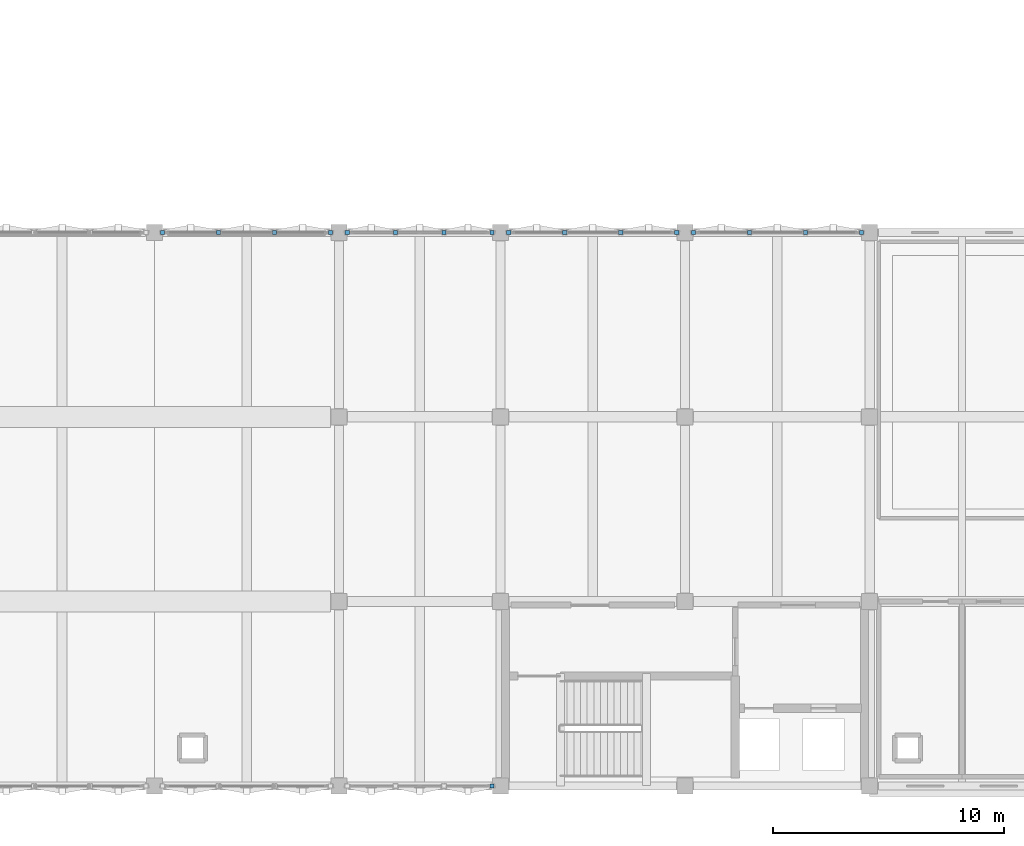
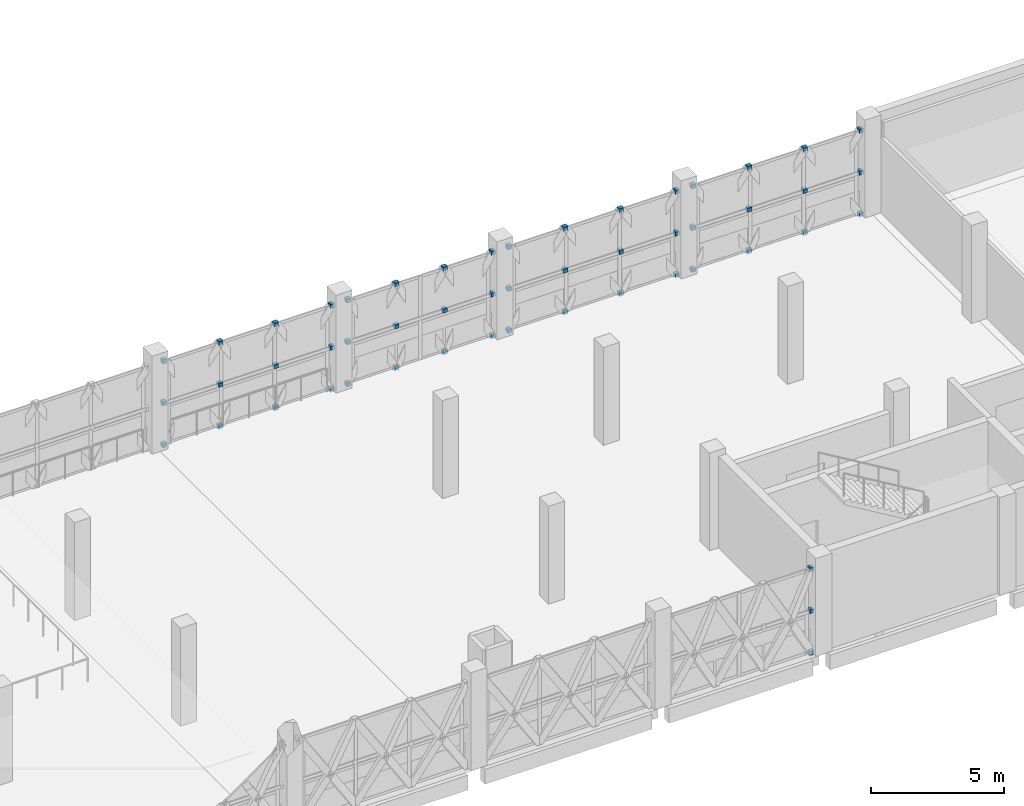
# One storey, part 35 of 45: 51 discrete accessories.
"""IFC4 building model written with IfcOpenShell, lengths in metres."""

from ifc_helpers import new_model, si_unit, direction, frame, origin, origin_2d, place, context, subcontext, project, spatial, rectangle, extrude, material, type_object, element, save


model = new_model("IFC4")

# Units and contexts
model_context = context("Model", 3, precision=1e-05, world=origin(), true_north=direction((0.0, 1.0)))
body_context = subcontext(model_context, "Body", "Model", "MODEL_VIEW")
ifc_project = project(units=[si_unit("LENGTHUNIT", "METRE"), si_unit("AREAUNIT", "SQUARE_METRE"), si_unit("VOLUMEUNIT", "CUBIC_METRE"), si_unit("PLANEANGLEUNIT", "RADIAN"), si_unit("MASSUNIT", "GRAM", prefix="KILO")], contexts=[model_context])

# Site, building, storey
site_placement = place(None, origin())
site = spatial("IfcSite", under=ifc_project, at=site_placement, CompositionType="ELEMENT")
building_placement = place(site_placement, origin())
building = spatial("IfcBuilding", under=site, at=building_placement, Name="Qorikala Patio Media Centre", CompositionType="ELEMENT")
storey_placement = place(building_placement, frame((0.0, 0.0, 9.89990234375)))
storey = spatial("IfcBuildingStorey", under=building, at=storey_placement, Name="L02", CompositionType="ELEMENT", Elevation=9.89990234375)

# Discrete accessories
ifc_material = material(Name="Steel S355", Category="steel")
discrete_accessory_type = type_object("IfcDiscreteAccessoryType", Name="ACC-BRACKET", PredefinedType="BRACKET", material=ifc_material)
for number, where, z_axis, x_axis, name in (
    (1, (81.639892578125, 3.0, -0.08984375), (0.0, 0.0, 1.0), (1.0, 0.0, 0.0), "L02 Brace End Bolted Connection Bracket 0355"),
    (2, (81.639892578125, 3.0, 3.76025390625), (0.0, 0.0, 1.0), (1.0, 0.0, 0.0), "L02 Brace End Bolted Connection Bracket 0357"),
    (3, (81.639892578125, 3.0, 1.8349609375), (0.0, 0.0, 1.0), (1.0, 0.0, 0.0), "L02 Brace End Bolted Connection Bracket 0359"),
    (4, (67.360107421875, 27.0, -0.08984375), (0.0, 0.0, 1.0), (1.0, 0.0, 0.0), "L02 Brace End Bolted Connection Bracket 0439"),
    (5, (69.78662109375, 27.0, -0.08984375), (0.0, 0.0, 1.0), (1.0, 0.0, 0.0), "L02 Brace End Bolted Connection Bracket 0440"),
    (6, (67.360107421875, 27.0, 3.76025390625), (0.0, 0.0, 1.0), (1.0, 0.0, 0.0), "L02 Brace End Bolted Connection Bracket 0441"),
    (7, (69.78662109375, 27.0, 3.76025390625), (0.0, 0.0, 1.0), (1.0, 0.0, 0.0), "L02 Brace End Bolted Connection Bracket 0442"),
    (8, (67.360107421875, 27.0, 1.8349609375), (0.0, 0.0, 1.0), (1.0, 0.0, 0.0), "L02 Brace End Bolted Connection Bracket 0443"),
    (9, (69.78662109375, 27.0, 1.8349609375), (0.0, 0.0, 1.0), (1.0, 0.0, 0.0), "L02 Brace End Bolted Connection Bracket 0444"),
    (10, (72.21337890625, 27.0, -0.08984375), (0.0, 0.0, 1.0), (1.0, 0.0, 0.0), "L02 Brace End Bolted Connection Bracket 0445"),
    (11, (72.21337890625, 27.0, 3.76025390625), (0.0, 0.0, 1.0), (1.0, 0.0, 0.0), "L02 Brace End Bolted Connection Bracket 0446"),
    (12, (72.21337890625, 27.0, 1.8349609375), (0.0, 0.0, 1.0), (1.0, 0.0, 0.0), "L02 Brace End Bolted Connection Bracket 0447"),
    (13, (74.639892578125, 27.0, -0.08984375), (0.0, 0.0, 1.0), (1.0, 0.0, 0.0), "L02 Brace End Bolted Connection Bracket 0448"),
    (14, (74.639892578125, 27.0, 3.76025390625), (0.0, 0.0, 1.0), (1.0, 0.0, 0.0), "L02 Brace End Bolted Connection Bracket 0449"),
    (15, (74.639892578125, 27.0, 1.8349609375), (0.0, 0.0, 1.0), (1.0, 0.0, 0.0), "L02 Brace End Bolted Connection Bracket 0450"),
    (16, (75.360107421875, 27.0, -0.08984375), (0.0, 0.0, 1.0), (1.0, 0.0, 0.0), "L02 Brace End Bolted Connection Bracket 0451"),
    (17, (77.453369140625, 27.0, -0.08984375), (0.0, 0.0, 1.0), (1.0, 0.0, 0.0), "L02 Brace End Bolted Connection Bracket 0452"),
    (18, (75.360107421875, 27.0, 3.76025390625), (0.0, 0.0, 1.0), (1.0, 0.0, 0.0), "L02 Brace End Bolted Connection Bracket 0453"),
    (19, (77.453369140625, 27.0, 3.76025390625), (0.0, 0.0, 1.0), (1.0, 0.0, 0.0), "L02 Brace End Bolted Connection Bracket 0454"),
    (20, (75.360107421875, 27.0, 1.8349609375), (0.0, 0.0, 1.0), (1.0, 0.0, 0.0), "L02 Brace End Bolted Connection Bracket 0455"),
    (21, (77.453369140625, 27.0, 1.8349609375), (0.0, 0.0, 1.0), (1.0, 0.0, 0.0), "L02 Brace End Bolted Connection Bracket 0456"),
    (22, (79.546630859375, 27.0, -0.08984375), (0.0, 0.0, 1.0), (1.0, 0.0, 0.0), "L02 Brace End Bolted Connection Bracket 0457"),
    (23, (79.546630859375, 27.0, 3.76025390625), (0.0, 0.0, 1.0), (1.0, 0.0, 0.0), "L02 Brace End Bolted Connection Bracket 0458"),
    (24, (79.546630859375, 27.0, 1.8349609375), (0.0, 0.0, 1.0), (1.0, 0.0, 0.0), "L02 Brace End Bolted Connection Bracket 0459"),
    (25, (81.639892578125, 27.0, -0.08984375), (0.0, 0.0, 1.0), (1.0, 0.0, 0.0), "L02 Brace End Bolted Connection Bracket 0460"),
    (26, (81.639892578125, 27.0, 3.76025390625), (0.0, 0.0, 1.0), (1.0, 0.0, 0.0), "L02 Brace End Bolted Connection Bracket 0461"),
    (27, (81.639892578125, 27.0, 1.8349609375), (0.0, 0.0, 1.0), (1.0, 0.0, 0.0), "L02 Brace End Bolted Connection Bracket 0462"),
    (28, (82.360107421875, 27.0, -0.08984375), (0.0, 0.0, 1.0), (1.0, 0.0, 0.0), "L02 Brace End Bolted Connection Bracket 0463"),
    (29, (84.78662109375, 27.0, -0.08984375), (0.0, 0.0, 1.0), (1.0, 0.0, 0.0), "L02 Brace End Bolted Connection Bracket 0464"),
    (30, (82.360107421875, 27.0, 3.76025390625), (0.0, 0.0, 1.0), (1.0, 0.0, 0.0), "L02 Brace End Bolted Connection Bracket 0465"),
    (31, (84.78662109375, 27.0, 3.76025390625), (0.0, 0.0, 1.0), (1.0, 0.0, 0.0), "L02 Brace End Bolted Connection Bracket 0466"),
    (32, (82.360107421875, 27.0, 1.8349609375), (0.0, 0.0, 1.0), (1.0, 0.0, 0.0), "L02 Brace End Bolted Connection Bracket 0467"),
    (33, (84.78662109375, 27.0, 1.8349609375), (0.0, 0.0, 1.0), (1.0, 0.0, 0.0), "L02 Brace End Bolted Connection Bracket 0468"),
    (34, (87.21337890625, 27.0, -0.08984375), (0.0, 0.0, 1.0), (1.0, 0.0, 0.0), "L02 Brace End Bolted Connection Bracket 0469"),
    (35, (87.21337890625, 27.0, 3.76025390625), (0.0, 0.0, 1.0), (1.0, 0.0, 0.0), "L02 Brace End Bolted Connection Bracket 0470"),
    (36, (87.21337890625, 27.0, 1.8349609375), (0.0, 0.0, 1.0), (1.0, 0.0, 0.0), "L02 Brace End Bolted Connection Bracket 0471"),
    (37, (89.639892578125, 27.0, -0.08984375), (0.0, 0.0, 1.0), (1.0, 0.0, 0.0), "L02 Brace End Bolted Connection Bracket 0472"),
    (38, (89.639892578125, 27.0, 3.76025390625), (0.0, 0.0, 1.0), (1.0, 0.0, 0.0), "L02 Brace End Bolted Connection Bracket 0473"),
    (39, (89.639892578125, 27.0, 1.8349609375), (0.0, 0.0, 1.0), (1.0, 0.0, 0.0), "L02 Brace End Bolted Connection Bracket 0474"),
    (40, (90.360107421875, 27.0, -0.08984375), (0.0, 0.0, 1.0), (1.0, 0.0, 0.0), "L02 Brace End Bolted Connection Bracket 0475"),
    (41, (92.78662109375, 27.0, -0.08984375), (0.0, 0.0, 1.0), (1.0, 0.0, 0.0), "L02 Brace End Bolted Connection Bracket 0476"),
    (42, (90.360107421875, 27.0, 3.76025390625), (0.0, 0.0, 1.0), (1.0, 0.0, 0.0), "L02 Brace End Bolted Connection Bracket 0477"),
    (43, (92.78662109375, 27.0, 3.76025390625), (0.0, 0.0, 1.0), (1.0, 0.0, 0.0), "L02 Brace End Bolted Connection Bracket 0478"),
    (44, (90.360107421875, 27.0, 1.8349609375), (0.0, 0.0, 1.0), (1.0, 0.0, 0.0), "L02 Brace End Bolted Connection Bracket 0479"),
    (45, (92.78662109375, 27.0, 1.8349609375), (0.0, 0.0, 1.0), (1.0, 0.0, 0.0), "L02 Brace End Bolted Connection Bracket 0480"),
    (46, (95.21337890625, 27.0, -0.08984375), (0.0, 0.0, 1.0), (1.0, 0.0, 0.0), "L02 Brace End Bolted Connection Bracket 0481"),
    (47, (95.21337890625, 27.0, 3.76025390625), (0.0, 0.0, 1.0), (1.0, 0.0, 0.0), "L02 Brace End Bolted Connection Bracket 0482"),
    (48, (95.21337890625, 27.0, 1.8349609375), (0.0, 0.0, 1.0), (1.0, 0.0, 0.0), "L02 Brace End Bolted Connection Bracket 0483"),
    (49, (97.639892578125, 27.0, -0.08984375), (0.0, 0.0, 1.0), (1.0, 0.0, 0.0), "L02 Brace End Bolted Connection Bracket 0484"),
    (50, (97.639892578125, 27.0, 3.76025390625), (0.0, 0.0, 1.0), (1.0, 0.0, 0.0), "L02 Brace End Bolted Connection Bracket 0485"),
    (51, (97.639892578125, 27.0, 1.8349609375), (0.0, 0.0, 1.0), (1.0, 0.0, 0.0), "L02 Brace End Bolted Connection Bracket 0486"),
):
    element("IfcDiscreteAccessory", number, at=place(storey_placement, frame(where, z_axis=z_axis, x_axis=x_axis)), inside=storey, type_object=discrete_accessory_type, Name=name, PredefinedType="BRACKET", context=body_context, shape_type="SweptSolid", body=[
        extrude(rectangle(XDim=0.179931640625, YDim=0.179931640625, at=origin_2d()), origin(), (0.0, 0.0, 1.0), 0.179931640625),
    ])

save(model, "model.ifc")
